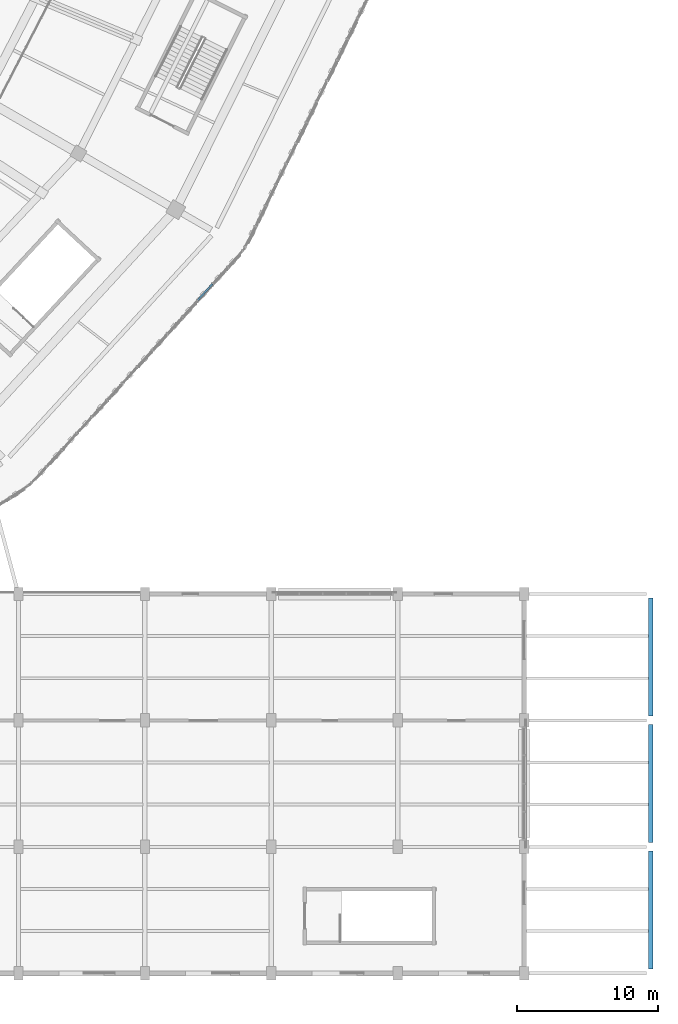
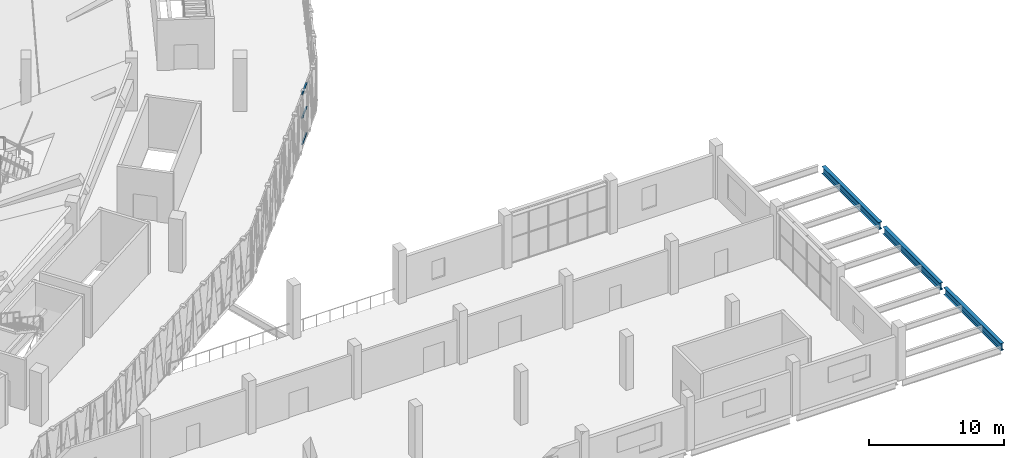
# One storey, part 35 of 152: 3 beams, 3 members, 1 element without a shape of its own.
"""IFC4 building model written with IfcOpenShell, lengths in metres."""

from ifc_helpers import new_model, si_unit, direction, frame, origin, origin_2d, place, context, subcontext, project, spatial, rectangle, i_section, extrude, material, material_profile, profile_set, type_object, element, aggregate, save


model = new_model("IFC4")

# Units and contexts
model_context = context("Model", 3, precision=1e-05, world=origin(), true_north=direction((0.0, 1.0)))
body_context = subcontext(model_context, "Body", "Model", "MODEL_VIEW")
ifc_project = project(units=[si_unit("LENGTHUNIT", "METRE"), si_unit("AREAUNIT", "SQUARE_METRE"), si_unit("VOLUMEUNIT", "CUBIC_METRE"), si_unit("PLANEANGLEUNIT", "RADIAN"), si_unit("MASSUNIT", "GRAM", prefix="KILO")], contexts=[model_context])

# Site, building, storey
site_placement = place(None, origin())
site = spatial("IfcSite", under=ifc_project, at=site_placement, CompositionType="ELEMENT")
building_placement = place(site_placement, origin())
building = spatial("IfcBuilding", under=site, at=building_placement, Name="Zevraka Park Crest Stadium", CompositionType="ELEMENT")
storey_placement = place(building_placement, frame((0.0, 0.0, 15.0)))
storey = spatial("IfcBuildingStorey", under=building, at=storey_placement, Name="L03", CompositionType="ELEMENT", Elevation=15.0)

# Beams
ifc_material_1 = material(Name="Steel S355", Category="steel")
ifc_material_profile_1 = material_profile(ifc_material_1, i_section(OverallWidth=0.300048828125, OverallDepth=0.64990234375, WebThickness=0.01611328125, FlangeThickness=0.031005859375, at=origin_2d()), Name="HEB 650")
ifc_profile_set_1 = profile_set([ifc_material_profile_1], Name="Steel S355")
beam_type = type_object("IfcBeamType", Name="BG07", PredefinedType="BEAM", material=ifc_profile_set_1)
for number, where, z_axis, x_axis, name in (
    (1, (224.0, 0.300048828125, -0.633056640625), (0.0, 1.0, 0.0), (-1.0, 0.0, 0.0), "Wing Girder BG07 L03-25/AB"),
    (2, (224.0, 9.300048828125, -0.633056640625), (0.0, 1.0, 0.0), (-1.0, 0.0, 0.0), "Wing Girder BG07 L03-25/BC"),
    (3, (224.0, 18.300048828125, -0.633056640625), (0.0, 1.0, 0.0), (-1.0, 0.0, 0.0), "Wing Girder BG07 L03-25/CD"),
):
    element("IfcBeam", number, at=place(storey_placement, frame(where, z_axis=z_axis, x_axis=x_axis)), inside=storey, type_object=beam_type, Name=name, PredefinedType="BEAM", context=body_context, shape_type="SweptSolid", body=[
        extrude(i_section(OverallWidth=0.300048828125, OverallDepth=0.64990234375, WebThickness=0.01611328125, FlangeThickness=0.031005859375, at=origin_2d()), origin(), (0.0, 0.0, 1.0), 8.39990234375),
    ])

# Curtain wall, members
ifc_material_2 = material(Name="Anodised architectural aluminium and laminated safety glass", Category="aluminium")
curtain_wall_type = type_object("IfcCurtainWallType", Name="CW13", PredefinedType="NOTDEFINED", material=ifc_material_2)
curtain_wall_placement = place(storey_placement, origin())
curtain_wall = element("IfcCurtainWall", 4, at=curtain_wall_placement, inside=storey, type_object=curtain_wall_type, Name="Unitised Ring Curtain Wall CW13 L03-21", PredefinedType="NOTDEFINED")
ifc_material_3 = material(Name="Anodised architectural aluminium", Category="aluminium")
ifc_material_profile_2 = material_profile(ifc_material_3, rectangle(XDim=0.1201171875, YDim=0.06005859375, at=origin_2d()), Name="ALU TRANSOM 120x60")
ifc_profile_set_2 = profile_set([ifc_material_profile_2], Name="Anodised architectural aluminium")
member_type = type_object("IfcMemberType", Name="CT01", PredefinedType="USERDEFINED", material=ifc_profile_set_2)
member_1_placement = place(storey_placement, frame((191.7763671875, 47.921630859375, 0.030029296875), z_axis=(0.672775385986, 0.739846794959, 0.0), x_axis=(-0.739846794959, 0.672775385986, 0.0)))
member_1 = element("IfcMember", 5, at=member_1_placement, type_object=member_type, Name="CW13 transom 12.1", ObjectType="TRANSOM", PredefinedType="USERDEFINED", context=body_context, shape_type="SweptSolid", body=[
    extrude(rectangle(XDim=0.1201171875, YDim=0.06005859375, at=origin_2d()), origin(), (0.0, 0.0, 1.0), 1.539794921875),
])
member_2_placement = place(storey_placement, frame((191.7763671875, 47.921630859375, 2.39990234375), z_axis=(0.672775385986, 0.739846794959, 0.0), x_axis=(-0.739846794959, 0.672775385986, 0.0)))
member_2 = element("IfcMember", 6, at=member_2_placement, type_object=member_type, Name="CW13 transom 12.2", ObjectType="TRANSOM", PredefinedType="USERDEFINED", context=body_context, shape_type="SweptSolid", body=[
    extrude(rectangle(XDim=0.1201171875, YDim=0.06005859375, at=origin_2d()), origin(), (0.0, 0.0, 1.0), 1.539794921875),
])
member_3_placement = place(storey_placement, frame((191.7763671875, 47.921630859375, 4.510009765625), z_axis=(0.672775385986, 0.739846794959, 0.0), x_axis=(-0.739846794959, 0.672775385986, 0.0)))
member_3 = element("IfcMember", 7, at=member_3_placement, type_object=member_type, Name="CW13 transom 12.3", ObjectType="TRANSOM", PredefinedType="USERDEFINED", context=body_context, shape_type="SweptSolid", body=[
    extrude(rectangle(XDim=0.1201171875, YDim=0.06005859375, at=origin_2d()), origin(), (0.0, 0.0, 1.0), 1.539794921875),
])
aggregate(curtain_wall, [member_1, member_2, member_3])

save(model, "model.ifc")
